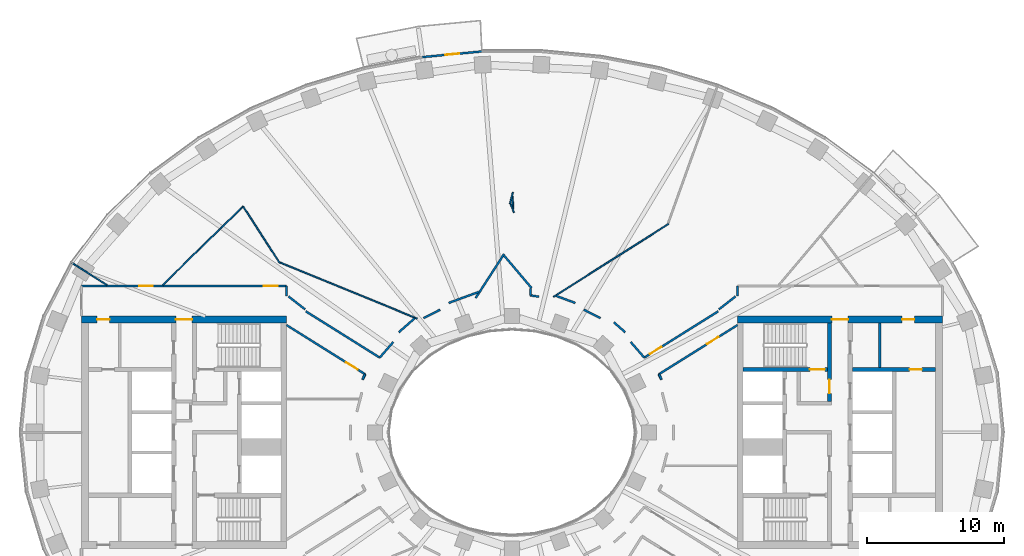
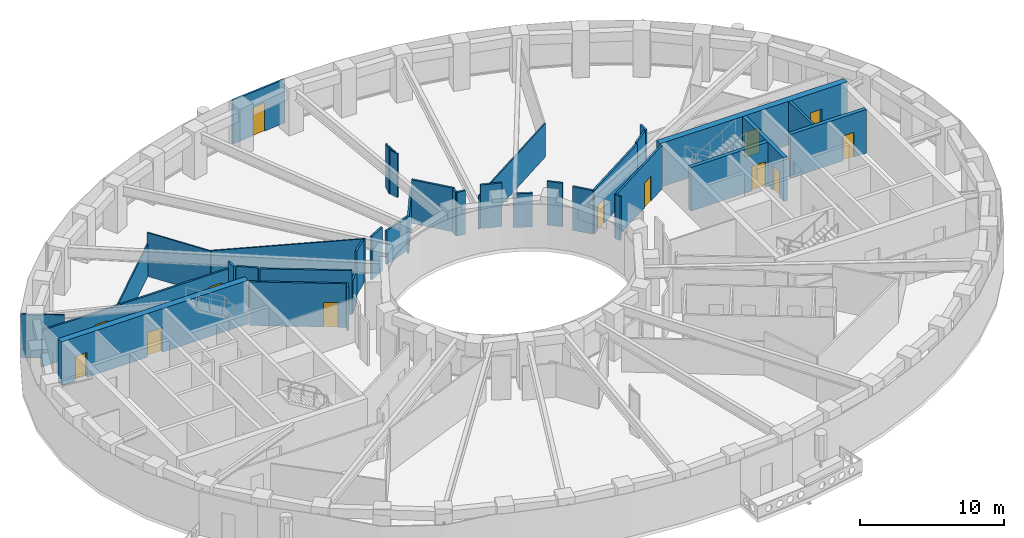
# One storey, part 6 of 16: 38 walls, 13 doors, 13 openings.
"""IFC4 building model written with IfcOpenShell, lengths in metres."""

from ifc_helpers import new_model, si_unit, direction, frame, frame_2d, origin, place, context, subcontext, project, spatial, rectangle, extrude, material, layer, layer_set, type_object, element, fill, save


model = new_model("IFC4")

# Units and contexts
model_context = context("Model", 3, precision=1e-05, world=origin(), true_north=direction((0.0, 1.0)))
body_context = subcontext(model_context, "Body", "Model", "MODEL_VIEW")
ifc_project = project(units=[si_unit("LENGTHUNIT", "METRE"), si_unit("AREAUNIT", "SQUARE_METRE"), si_unit("VOLUMEUNIT", "CUBIC_METRE"), si_unit("PLANEANGLEUNIT", "RADIAN"), si_unit("MASSUNIT", "GRAM", prefix="KILO")], contexts=[model_context])

# Site, building, storey
site_placement = place(None, origin())
site = spatial("IfcSite", under=ifc_project, at=site_placement, CompositionType="ELEMENT")
building_placement = place(site_placement, origin())
building = spatial("IfcBuilding", under=site, at=building_placement, Name="Noorbagh Ring Tower", CompositionType="ELEMENT")
storey_placement = place(building_placement, frame((0.0, 0.0, 162.0)))
storey = spatial("IfcBuildingStorey", under=building, at=storey_placement, Name="L37", CompositionType="ELEMENT", Elevation=162.0)

# Wall
ifc_material_1 = material(Name="Gypsum board on steel studs", Category="steel")
ifc_layer_1 = layer(ifc_material_1, 0.199951171875)
ifc_layer_set_1 = layer_set([ifc_layer_1], Name="Gypsum board on steel studs")
wall_type_1 = type_object("IfcWallType", Name="CORE-PARTITION-200", PredefinedType="PARTITIONING", material=ifc_layer_set_1)
wall_1_placement = place(storey_placement, frame((26.89990234375, 4.75, 0.0), z_axis=(0.0, 0.0, 1.0), x_axis=(0.0, 1.0, 0.0)))
element("IfcWall", 1, at=wall_1_placement, inside=storey, type_object=wall_type_1, Name="Core partition E", PredefinedType="PARTITIONING", context=body_context, shape_type="SweptSolid", body=[
    extrude(rectangle(XDim=3.25, YDim=0.199951171875, at=frame_2d((1.625, 0.0))), origin(), (0.0, 0.0, 1.0), 3.699951171875),
])

# Wall, opening, door
ifc_material_2 = material(Name="Concrete C60/75", Category="concrete")
ifc_layer_2 = layer(ifc_material_2, 0.300048828125)
ifc_layer_set_2 = layer_set([ifc_layer_2], Name="Concrete C60/75")
wall_type_2 = type_object("IfcWallType", Name="CORE-WALL-300-C60-75-EI240", PredefinedType="SHEAR", material=ifc_layer_set_2)
wall_2_placement = place(storey_placement, frame((24.89990234375, 4.60009765625, 0.0), z_axis=(0.0, 0.0, 1.0), x_axis=(1.0, 0.0, 0.0)))
wall_2 = element("IfcWall", 2, at=wall_2_placement, inside=storey, type_object=wall_type_2, Name="Core wall E", PredefinedType="SHEAR", context=body_context, shape_type="SweptSolid", body=[
    extrude(rectangle(XDim=6.10009765625, YDim=0.300048828125, at=frame_2d((3.050048828125, 0.0))), origin(), (0.0, 0.0, 1.0), 3.699951171875),
])
opening_1_placement = place(wall_2_placement, frame((4.199951171875, 0.0, 0.0)))
opening_1 = element("IfcOpeningElement", 3, at=opening_1_placement, cuts=wall_2, Name="Opening L37-CE17", PredefinedType="OPENING", context=body_context, shape_type="SweptSolid", body=[
    extrude(rectangle(XDim=0.89990234375, YDim=2.10009765625, at=frame_2d((0.449951171875, 1.050048828125))), frame((0.0, 0.16015625, 0.0), z_axis=(0.0, -1.0, 0.0), x_axis=(1.0, 0.0, 0.0)), (0.0, 0.0, 1.0), 0.320068359375),
])
ifc_material_3 = material(Name="Steel door leaf", Category="steel")
door_type_1 = type_object("IfcDoorType", Name="CORE-DOOR-DROOM", OperationType="SINGLE_SWING_LEFT", PredefinedType="DOOR", material=ifc_material_3)
door_1_placement = place(opening_1_placement, origin())
door_1 = element("IfcDoor", 4, at=door_1_placement, inside=storey, type_object=door_type_1, Name="Core room door L37-CE17", OperationType="SINGLE_SWING_RIGHT", OverallHeight=2.10009765625, OverallWidth=0.89990234375, PredefinedType="DOOR", context=body_context, shape_type="SweptSolid", body=[
    extrude(rectangle(XDim=0.89990234375, YDim=2.10009765625, at=frame_2d((0.449951171875, 1.050048828125))), frame((0.0, 0.02490234375, 0.0), z_axis=(0.0, -1.0, 0.0), x_axis=(1.0, 0.0, 0.0)), (0.0, 0.0, 1.0), 0.050048828125),
])
fill(opening_1, door_1)

wall_3_placement = place(storey_placement, frame((23.22998046875, 2.25, 0.0), z_axis=(0.0, 0.0, 1.0), x_axis=(0.0, 1.0, 0.0)))
wall_3 = element("IfcWall", 5, at=wall_3_placement, inside=storey, type_object=wall_type_2, Name="Core wall E", PredefinedType="SHEAR", context=body_context, shape_type="SweptSolid", body=[
    extrude(rectangle(XDim=5.75, YDim=0.300048828125, at=frame_2d((2.875, 0.0))), origin(), (0.0, 0.0, 1.0), 3.699951171875),
])
opening_2_placement = place(wall_3_placement, frame((0.60009765625, 0.0, 0.0)))
opening_2 = element("IfcOpeningElement", 6, at=opening_2_placement, cuts=wall_3, Name="Opening L37-CE10", PredefinedType="OPENING", context=body_context, shape_type="SweptSolid", body=[
    extrude(rectangle(XDim=1.0, YDim=2.10009765625, at=frame_2d((0.5, 1.050048828125))), frame((0.0, 0.16015625, 0.0), z_axis=(0.0, -1.0, 0.0), x_axis=(1.0, 0.0, 0.0)), (0.0, 0.0, 1.0), 0.320068359375),
])
ifc_material_4 = material(Name="Steel door leaf", Category="steel")
door_type_2 = type_object("IfcDoorType", Name="CORE-DOOR-DVEST", OperationType="SINGLE_SWING_LEFT", PredefinedType="DOOR", material=ifc_material_4)
door_2_placement = place(opening_2_placement, origin())
door_2 = element("IfcDoor", 7, at=door_2_placement, inside=storey, type_object=door_type_2, Name="Stair vestibule door L37-CE10", OperationType="SINGLE_SWING_RIGHT", OverallHeight=2.10009765625, OverallWidth=1.0, PredefinedType="DOOR", context=body_context, shape_type="SweptSolid", body=[
    extrude(rectangle(XDim=1.0, YDim=2.10009765625, at=frame_2d((0.5, 1.050048828125))), frame((0.0, 0.02490234375, 0.0), z_axis=(0.0, -1.0, 0.0), x_axis=(1.0, 0.0, 0.0)), (0.0, 0.0, 1.0), 0.050048828125),
])
fill(opening_2, door_2)

wall_4_placement = place(storey_placement, frame((16.89990234375, 4.60009765625, 0.0), z_axis=(0.0, 0.0, 1.0), x_axis=(1.0, 0.0, 0.0)))
wall_4 = element("IfcWall", 8, at=wall_4_placement, inside=storey, type_object=wall_type_2, Name="Core wall E", PredefinedType="SHEAR", context=body_context, shape_type="SweptSolid", body=[
    extrude(rectangle(XDim=6.18017578125, YDim=0.300048828125, at=frame_2d((3.090087890625, 0.0))), origin(), (0.0, 0.0, 1.0), 3.699951171875),
])
opening_3_placement = place(wall_4_placement, frame((4.89990234375, 0.0, 0.0)))
opening_3 = element("IfcOpeningElement", 9, at=opening_3_placement, cuts=wall_4, Name="Opening L37-CE07", PredefinedType="OPENING", context=body_context, shape_type="SweptSolid", body=[
    extrude(rectangle(XDim=1.10009765625, YDim=2.10009765625, at=frame_2d((0.550048828125, 1.050048828125))), frame((0.0, 0.16015625, 0.0), z_axis=(0.0, -1.0, 0.0), x_axis=(1.0, 0.0, 0.0)), (0.0, 0.0, 1.0), 0.320068359375),
])
ifc_material_5 = material(Name="Steel door leaf", Category="steel")
door_type_3 = type_object("IfcDoorType", Name="CORE-DOOR-DSTAIR", OperationType="SINGLE_SWING_LEFT", PredefinedType="DOOR", material=ifc_material_5)
door_3_placement = place(opening_3_placement, origin())
door_3 = element("IfcDoor", 10, at=door_3_placement, inside=storey, type_object=door_type_3, Name="Stair door ST3 L37-CE07", OperationType="SINGLE_SWING_LEFT", OverallHeight=2.10009765625, OverallWidth=1.10009765625, PredefinedType="DOOR", context=body_context, shape_type="SweptSolid", body=[
    extrude(rectangle(XDim=1.10009765625, YDim=2.10009765625, at=frame_2d((0.550048828125, 1.050048828125))), frame((0.0, 0.02490234375, 0.0), z_axis=(0.0, -1.0, 0.0), x_axis=(1.0, 0.0, 0.0)), (0.0, 0.0, 1.0), 0.050048828125),
])
fill(opening_3, door_3)

# Wall, openings, doors
ifc_material_6 = material(Name="Concrete C60/75", Category="concrete")
ifc_layer_3 = layer(ifc_material_6, 0.5)
ifc_layer_set_3 = layer_set([ifc_layer_3], Name="Concrete C60/75")
wall_type_3 = type_object("IfcWallType", Name="CORE-WALL-500-C60-75-EI240", PredefinedType="SHEAR", material=ifc_layer_set_3)
wall_5_placement = place(storey_placement, frame((-16.5, 8.25, 0.0), z_axis=(0.0, 0.0, 1.0), x_axis=(-1.0, 0.0, 0.0)))
wall_5 = element("IfcWall", 11, at=wall_5_placement, inside=storey, type_object=wall_type_3, Name="Core wall W", PredefinedType="SHEAR", context=body_context, shape_type="SweptSolid", body=[
    extrude(rectangle(XDim=15.0, YDim=0.5, at=frame_2d((7.5, 0.0))), origin(), (0.0, 0.0, 1.0), 3.699951171875),
])
opening_4_placement = place(wall_5_placement, frame((6.89990234375, 0.0, 0.0)))
opening_4 = element("IfcOpeningElement", 12, at=opening_4_placement, cuts=wall_5, Name="Opening L37-CW10", PredefinedType="OPENING", context=body_context, shape_type="SweptSolid", body=[
    extrude(rectangle(XDim=1.199951171875, YDim=2.10009765625, at=frame_2d((0.60009765625, 1.050048828125))), frame((0.0, 0.260009765625, 0.0), z_axis=(0.0, -1.0, 0.0), x_axis=(1.0, 0.0, 0.0)), (0.0, 0.0, 1.0), 0.52001953125),
])
opening_5_placement = place(wall_5_placement, frame((12.949951171875, 0.0, 0.0)))
opening_5 = element("IfcOpeningElement", 13, at=opening_5_placement, cuts=wall_5, Name="Opening L37-CW13", PredefinedType="OPENING", context=body_context, shape_type="SweptSolid", body=[
    extrude(rectangle(XDim=0.89990234375, YDim=2.10009765625, at=frame_2d((0.449951171875, 1.050048828125))), frame((0.0, 0.260009765625, 0.0), z_axis=(0.0, -1.0, 0.0), x_axis=(1.0, 0.0, 0.0)), (0.0, 0.0, 1.0), 0.52001953125),
])
door_4_placement = place(opening_5_placement, origin())
door_4 = element("IfcDoor", 14, at=door_4_placement, inside=storey, type_object=door_type_1, Name="Core room door L37-CW13", OperationType="SINGLE_SWING_RIGHT", OverallHeight=2.10009765625, OverallWidth=0.89990234375, PredefinedType="DOOR", context=body_context, shape_type="SweptSolid", body=[
    extrude(rectangle(XDim=0.89990234375, YDim=2.10009765625, at=frame_2d((0.449951171875, 1.050048828125))), frame((0.0, 0.02490234375, 0.0), z_axis=(0.0, -1.0, 0.0), x_axis=(1.0, 0.0, 0.0)), (0.0, 0.0, 1.0), 0.050048828125),
])
fill(opening_5, door_4)
ifc_material_7 = material(Name="Steel door leaf", Category="steel")
door_type_4 = type_object("IfcDoorType", Name="CORE-DOOR-PORT", OperationType="DOUBLE_DOOR_DOUBLE_SWING", PredefinedType="DOOR", material=ifc_material_7)
door_5_placement = place(opening_4_placement, origin())
door_5 = element("IfcDoor", 15, at=door_5_placement, inside=storey, type_object=door_type_4, Name="Core entrance door L37-CW10", OperationType="DOUBLE_DOOR_DOUBLE_SWING", OverallHeight=2.10009765625, OverallWidth=1.199951171875, PredefinedType="DOOR", context=body_context, shape_type="SweptSolid", body=[
    extrude(rectangle(XDim=1.199951171875, YDim=2.10009765625, at=frame_2d((0.60009765625, 1.050048828125))), frame((0.0, 0.02490234375, 0.0), z_axis=(0.0, -1.0, 0.0), x_axis=(1.0, 0.0, 0.0)), (0.0, 0.0, 1.0), 0.050048828125),
])
fill(opening_4, door_5)

wall_6_placement = place(storey_placement, frame((16.5, 8.25, 0.0), z_axis=(0.0, 0.0, 1.0), x_axis=(1.0, 0.0, 0.0)))
wall_6 = element("IfcWall", 16, at=wall_6_placement, inside=storey, type_object=wall_type_3, Name="Core wall E", PredefinedType="SHEAR", context=body_context, shape_type="SweptSolid", body=[
    extrude(rectangle(XDim=15.0, YDim=0.5, at=frame_2d((7.5, 0.0))), origin(), (0.0, 0.0, 1.0), 3.699951171875),
])
opening_6_placement = place(wall_6_placement, frame((6.89990234375, 0.0, 0.0)))
opening_6 = element("IfcOpeningElement", 17, at=opening_6_placement, cuts=wall_6, Name="Opening L37-CE11", PredefinedType="OPENING", context=body_context, shape_type="SweptSolid", body=[
    extrude(rectangle(XDim=1.199951171875, YDim=2.10009765625, at=frame_2d((0.60009765625, 1.050048828125))), frame((0.0, 0.260009765625, 0.0), z_axis=(0.0, -1.0, 0.0), x_axis=(1.0, 0.0, 0.0)), (0.0, 0.0, 1.0), 0.52001953125),
])
opening_7_placement = place(wall_6_placement, frame((12.050048828125, 0.0, 0.0)))
opening_7 = element("IfcOpeningElement", 18, at=opening_7_placement, cuts=wall_6, Name="Opening L37-CE14", PredefinedType="OPENING", context=body_context, shape_type="SweptSolid", body=[
    extrude(rectangle(XDim=0.89990234375, YDim=2.10009765625, at=frame_2d((0.449951171875, 1.050048828125))), frame((0.0, 0.260009765625, 0.0), z_axis=(0.0, -1.0, 0.0), x_axis=(1.0, 0.0, 0.0)), (0.0, 0.0, 1.0), 0.52001953125),
])
door_6_placement = place(opening_7_placement, origin())
door_6 = element("IfcDoor", 19, at=door_6_placement, inside=storey, type_object=door_type_1, Name="Core room door L37-CE14", OperationType="SINGLE_SWING_LEFT", OverallHeight=2.10009765625, OverallWidth=0.89990234375, PredefinedType="DOOR", context=body_context, shape_type="SweptSolid", body=[
    extrude(rectangle(XDim=0.89990234375, YDim=2.10009765625, at=frame_2d((0.449951171875, 1.050048828125))), frame((0.0, 0.02490234375, 0.0), z_axis=(0.0, -1.0, 0.0), x_axis=(1.0, 0.0, 0.0)), (0.0, 0.0, 1.0), 0.050048828125),
])
fill(opening_7, door_6)
door_7_placement = place(opening_6_placement, origin())
door_7 = element("IfcDoor", 20, at=door_7_placement, inside=storey, type_object=door_type_4, Name="Core entrance door L37-CE11", OperationType="DOUBLE_DOOR_DOUBLE_SWING", OverallHeight=2.10009765625, OverallWidth=1.199951171875, PredefinedType="DOOR", context=body_context, shape_type="SweptSolid", body=[
    extrude(rectangle(XDim=1.199951171875, YDim=2.10009765625, at=frame_2d((0.60009765625, 1.050048828125))), frame((0.0, 0.02490234375, 0.0), z_axis=(0.0, -1.0, 0.0), x_axis=(1.0, 0.0, 0.0)), (0.0, 0.0, 1.0), 0.050048828125),
])
fill(opening_6, door_7)

ifc_material_8 = material(Name="Gypsum board on steel studs", Category="steel")
ifc_layer_4 = layer(ifc_material_8, 0.14990234375)
ifc_layer_set_4 = layer_set([ifc_layer_4], Name="Gypsum board on steel studs")
wall_type_4 = type_object("IfcWallType", Name="CORRIDOR PARTITION 150 EI 30", PredefinedType="PARTITIONING", material=ifc_layer_set_4)
wall_7_placement = place(storey_placement, frame((-31.5, 10.699951171875, 0.0), z_axis=(0.0, 0.0, 1.0), x_axis=(1.0, 0.0, 0.0)))
wall_7 = element("IfcWall", 21, at=wall_7_placement, inside=storey, type_object=wall_type_4, Name="L37/wall/P07", PredefinedType="PARTITIONING", context=body_context, shape_type="SweptSolid", body=[
    extrude(rectangle(XDim=15.0, YDim=0.14990234375, at=frame_2d((7.5, 0.0))), origin(), (0.0, 0.0, 1.0), 3.10009765625),
])
opening_8_placement = place(wall_7_placement, frame((4.2099609375, 0.0, 0.0)))
opening_8 = element("IfcOpeningElement", 22, at=opening_8_placement, cuts=wall_7, Name="Opening D1", PredefinedType="OPENING", context=body_context, shape_type="SweptSolid", body=[
    extrude(rectangle(XDim=1.0, YDim=2.10009765625, at=frame_2d((0.5, 1.050048828125))), frame((0.0, 0.0849609375, 0.0), z_axis=(0.0, -1.0, 0.0), x_axis=(1.0, 0.0, 0.0)), (0.0, 0.0, 1.0), 0.169921875),
])
opening_9_placement = place(wall_7_placement, frame((13.35009765625, 0.0, 0.0)))
opening_9 = element("IfcOpeningElement", 23, at=opening_9_placement, cuts=wall_7, Name="Opening D1", PredefinedType="OPENING", context=body_context, shape_type="SweptSolid", body=[
    extrude(rectangle(XDim=1.0, YDim=2.10009765625, at=frame_2d((0.5, 1.050048828125))), frame((0.0, 0.0849609375, 0.0), z_axis=(0.0, -1.0, 0.0), x_axis=(1.0, 0.0, 0.0)), (0.0, 0.0, 1.0), 0.169921875),
])
ifc_material_9 = material(Name="Timber, painted", Category="wood")
door_type_5 = type_object("IfcDoorType", Name="DOOR 1000 X 2100 FD30", OperationType="SINGLE_SWING_LEFT", PredefinedType="DOOR", material=ifc_material_9)
door_8_placement = place(opening_8_placement, origin())
door_8 = element("IfcDoor", 24, at=door_8_placement, inside=storey, type_object=door_type_5, Name="L37-D09", OperationType="SINGLE_SWING_LEFT", OverallHeight=2.10009765625, OverallWidth=1.0, PredefinedType="DOOR", context=body_context, shape_type="SweptSolid", body=[
    extrude(rectangle(XDim=1.0, YDim=2.10009765625, at=frame_2d((0.5, 1.050048828125))), frame((0.0, 0.02490234375, 0.0), z_axis=(0.0, -1.0, 0.0), x_axis=(1.0, 0.0, 0.0)), (0.0, 0.0, 1.0), 0.050048828125),
])
fill(opening_8, door_8)
door_9_placement = place(opening_9_placement, origin())
door_9 = element("IfcDoor", 25, at=door_9_placement, inside=storey, type_object=door_type_5, Name="L37-D11", OperationType="SINGLE_SWING_LEFT", OverallHeight=2.10009765625, OverallWidth=1.0, PredefinedType="DOOR", context=body_context, shape_type="SweptSolid", body=[
    extrude(rectangle(XDim=1.0, YDim=2.10009765625, at=frame_2d((0.5, 1.050048828125))), frame((0.0, 0.02490234375, 0.0), z_axis=(0.0, -1.0, 0.0), x_axis=(1.0, 0.0, 0.0)), (0.0, 0.0, 1.0), 0.050048828125),
])
fill(opening_9, door_9)

# Wall
wall_8_placement = place(storey_placement, frame((-16.5, 9.964111328125, 0.0), z_axis=(0.0, 0.0, 1.0), x_axis=(0.0, 1.0, 0.0)))
element("IfcWall", 26, at=wall_8_placement, inside=storey, type_object=wall_type_4, Name="L37/wall/P16", PredefinedType="PARTITIONING", context=body_context, shape_type="SweptSolid", body=[
    extrude(rectangle(XDim=0.73583984375, YDim=0.14990234375, at=frame_2d((0.367919921875, 0.0))), origin(), (0.0, 0.0, 1.0), 3.699951171875),
])

# Wall, opening, door
wall_9_placement = place(storey_placement, frame((-16.5, 7.85107421875, 0.0), z_axis=(0.0, 0.0, 1.0), x_axis=(0.847690706888, -0.530490777917, 0.0)))
wall_9 = element("IfcWall", 27, at=wall_9_placement, inside=storey, type_object=wall_type_4, Name="L37/wall/P18", PredefinedType="PARTITIONING", context=body_context, shape_type="SweptSolid", body=[
    extrude(rectangle(XDim=6.78076171875, YDim=0.14990234375, at=frame_2d((3.390380859375, 0.0))), origin(), (0.0, 0.0, 1.0), 3.699951171875),
])
opening_10_placement = place(wall_9_placement, frame((5.1513671875, 0.0, 0.0)))
opening_10 = element("IfcOpeningElement", 28, at=opening_10_placement, cuts=wall_9, Name="Opening D1", PredefinedType="OPENING", context=body_context, shape_type="SweptSolid", body=[
    extrude(rectangle(XDim=1.0, YDim=2.10009765625, at=frame_2d((0.5, 1.050048828125))), frame((0.0, 0.0849609375, 0.0), z_axis=(0.0, -1.0, 0.0), x_axis=(1.0, 0.0, 0.0)), (0.0, 0.0, 1.0), 0.169921875),
])
door_10_placement = place(opening_10_placement, origin())
door_10 = element("IfcDoor", 29, at=door_10_placement, inside=storey, type_object=door_type_5, Name="L37-D18", OperationType="SINGLE_SWING_RIGHT", OverallHeight=2.10009765625, OverallWidth=1.0, PredefinedType="DOOR", context=body_context, shape_type="SweptSolid", body=[
    extrude(rectangle(XDim=1.0, YDim=2.10009765625, at=frame_2d((0.5, 1.050048828125))), frame((0.0, 0.02490234375, 0.0), z_axis=(0.0, -1.0, 0.0), x_axis=(1.0, 0.0, 0.0)), (0.0, 0.0, 1.0), 0.050048828125),
])
fill(opening_10, door_10)

# Walls
wall_10_placement = place(storey_placement, frame((-15.089111328125, 8.85595703125, 0.0), z_axis=(0.0, 0.0, 1.0), x_axis=(0.847602682855, -0.530631408811, 0.0)))
element("IfcWall", 30, at=wall_10_placement, inside=storey, type_object=wall_type_4, Name="L37/wall/P20", PredefinedType="PARTITIONING", context=body_context, shape_type="SweptSolid", body=[
    extrude(rectangle(XDim=6.3828125, YDim=0.14990234375, at=frame_2d((3.19140625, 0.0))), origin(), (0.0, 0.0, 1.0), 3.699951171875),
])
wall_11_placement = place(storey_placement, frame((-10.93798828125, 3.863037109375, 0.0), z_axis=(0.0, 0.0, 1.0), x_axis=(0.429758433873, 0.90294390109, 0.0)))
element("IfcWall", 31, at=wall_11_placement, inside=storey, type_object=wall_type_4, Name="L37/wall/P25", PredefinedType="PARTITIONING", context=body_context, shape_type="SweptSolid", body=[
    extrude(rectangle(XDim=0.432861328125, YDim=0.14990234375, at=frame_2d((0.21630859375, 0.0))), origin(), (0.0, 0.0, 1.0), 3.699951171875),
])
wall_12_placement = place(storey_placement, frame((-9.678955078125, 5.468994140625, 0.0), z_axis=(0.0, 0.0, 1.0), x_axis=(0.656454677423, 0.75436546613, 0.0)))
element("IfcWall", 32, at=wall_12_placement, inside=storey, type_object=wall_type_4, Name="L37/wall/P27", PredefinedType="PARTITIONING", context=body_context, shape_type="SweptSolid", body=[
    extrude(rectangle(XDim=1.510986328125, YDim=0.14990234375, at=frame_2d((0.75537109375, 0.0))), origin(), (0.0, 0.0, 1.0), 2.75),
])
wall_13_placement = place(storey_placement, frame((-8.283935546875, 7.322021484375, 0.0), z_axis=(0.0, 0.0, 1.0), x_axis=(0.750666784408, 0.660680996235, 0.0)))
element("IfcWall", 33, at=wall_13_placement, inside=storey, type_object=wall_type_4, Name="L37/wall/P29", PredefinedType="PARTITIONING", context=body_context, shape_type="SweptSolid", body=[
    extrude(rectangle(XDim=1.5546875, YDim=0.14990234375, at=frame_2d((0.77734375, 0.0))), origin(), (0.0, 0.0, 1.0), 3.699951171875),
])
wall_14_placement = place(storey_placement, frame((-6.466064453125, 8.35595703125, 0.0), z_axis=(0.0, 0.0, 1.0), x_axis=(0.889472002788, 0.456989667559, 0.0)))
element("IfcWall", 34, at=wall_14_placement, inside=storey, type_object=wall_type_4, Name="L37/wall/P31", PredefinedType="PARTITIONING", context=body_context, shape_type="SweptSolid", body=[
    extrude(rectangle(XDim=1.354736328125, YDim=0.14990234375, at=frame_2d((0.67724609375, 0.0))), origin(), (0.0, 0.0, 1.0), 3.699951171875),
])
wall_15_placement = place(storey_placement, frame((-4.635986328125, 9.468017578125, 0.0), z_axis=(0.0, 0.0, 1.0), x_axis=(0.939059239116, 0.343755356949, 0.0)))
element("IfcWall", 35, at=wall_15_placement, inside=storey, type_object=wall_type_4, Name="L37/wall/P33", PredefinedType="PARTITIONING", context=body_context, shape_type="SweptSolid", body=[
    extrude(rectangle(XDim=2.3564453125, YDim=0.14990234375, at=frame_2d((1.17822265625, 0.0))), origin(), (0.0, 0.0, 1.0), 2.85009765625),
])
wall_16_placement = place(storey_placement, frame((-2.659912109375, 9.826904296875, 0.0), z_axis=(0.0, 0.0, 1.0), x_axis=(0.54249361556, 0.840059924694, 0.0)))
element("IfcWall", 36, at=wall_16_placement, inside=storey, type_object=wall_type_4, Name="L37/wall/P35", PredefinedType="PARTITIONING", context=body_context, shape_type="SweptSolid", body=[
    extrude(rectangle(XDim=3.835693359375, YDim=0.14990234375, at=frame_2d((1.91796875, 0.0))), origin(), (0.0, 0.0, 1.0), 2.85009765625),
])
wall_17_placement = place(storey_placement, frame((-0.571044921875, 12.923095703125, 0.0), z_axis=(0.0, 0.0, 1.0), x_axis=(0.646508532989, -0.762906754966, 0.0)))
element("IfcWall", 37, at=wall_17_placement, inside=storey, type_object=wall_type_4, Name="L37/wall/P37", PredefinedType="PARTITIONING", context=body_context, shape_type="SweptSolid", body=[
    extrude(rectangle(XDim=3.110595703125, YDim=0.14990234375, at=frame_2d((1.55517578125, 0.0))), origin(), (0.0, 0.0, 1.0), 3.699951171875),
])
wall_18_placement = place(storey_placement, frame((1.340087890625, 10.02197265625, 0.0), z_axis=(0.0, 0.0, 1.0), x_axis=(0.047890193459, 0.998852606429, 0.0)))
element("IfcWall", 38, at=wall_18_placement, inside=storey, type_object=wall_type_4, Name="L37/wall/P46", PredefinedType="PARTITIONING", context=body_context, shape_type="SweptSolid", body=[
    extrude(rectangle(XDim=0.49951171875, YDim=0.14990234375, at=frame_2d((0.249755859375, 0.0))), origin(), (0.0, 0.0, 1.0), 3.699951171875),
])
wall_19_placement = place(storey_placement, frame((1.340087890625, 10.02197265625, 0.0), z_axis=(0.0, 0.0, 1.0), x_axis=(0.988526694698, -0.151046264003, 0.0)))
element("IfcWall", 39, at=wall_19_placement, inside=storey, type_object=wall_type_4, Name="L37/wall/P47", PredefinedType="PARTITIONING", context=body_context, shape_type="SweptSolid", body=[
    extrude(rectangle(XDim=0.63525390625, YDim=0.14990234375, at=frame_2d((0.317626953125, 0.0))), origin(), (0.0, 0.0, 1.0), 3.699951171875),
])
wall_20_placement = place(storey_placement, frame((3.221923828125, 9.986083984375, 0.0), z_axis=(0.0, 0.0, 1.0), x_axis=(0.938967105432, -0.344006940215, 0.0)))
element("IfcWall", 40, at=wall_20_placement, inside=storey, type_object=wall_type_4, Name="L37/wall/P51", PredefinedType="PARTITIONING", context=body_context, shape_type="SweptSolid", body=[
    extrude(rectangle(XDim=1.505859375, YDim=0.14990234375, at=frame_2d((0.7529296875, 0.0))), origin(), (0.0, 0.0, 1.0), 3.699951171875),
])
wall_21_placement = place(storey_placement, frame((5.260986328125, 8.97509765625, 0.0), z_axis=(0.0, 0.0, 1.0), x_axis=(0.889472002788, -0.456989667559, 0.0)))
element("IfcWall", 41, at=wall_21_placement, inside=storey, type_object=wall_type_4, Name="L37/wall/P53", PredefinedType="PARTITIONING", context=body_context, shape_type="SweptSolid", body=[
    extrude(rectangle(XDim=1.354736328125, YDim=0.14990234375, at=frame_2d((0.67724609375, 0.0))), origin(), (0.0, 0.0, 1.0), 2.85009765625),
])
wall_22_placement = place(storey_placement, frame((7.4580078125, 8.049072265625, 0.0), z_axis=(0.0, 0.0, 1.0), x_axis=(0.75060787095, -0.660747927782, 0.0)))
element("IfcWall", 42, at=wall_22_placement, inside=storey, type_object=wall_type_4, Name="L37/wall/P55", PredefinedType="PARTITIONING", context=body_context, shape_type="SweptSolid", body=[
    extrude(rectangle(XDim=1.100341796875, YDim=0.14990234375, at=frame_2d((0.55029296875, 0.0))), origin(), (0.0, 0.0, 1.0), 3.699951171875),
])
wall_23_placement = place(storey_placement, frame((8.68701171875, 6.60888671875, 0.0), z_axis=(0.0, 0.0, 1.0), x_axis=(0.656454677423, -0.75436546613, 0.0)))
element("IfcWall", 43, at=wall_23_placement, inside=storey, type_object=wall_type_4, Name="L37/wall/P59", PredefinedType="PARTITIONING", context=body_context, shape_type="SweptSolid", body=[
    extrude(rectangle(XDim=1.510986328125, YDim=0.14990234375, at=frame_2d((0.75537109375, 0.0))), origin(), (0.0, 0.0, 1.0), 3.699951171875),
])

# Wall, opening, door
wall_24_placement = place(storey_placement, frame((9.678955078125, 5.468994140625, 0.0), z_axis=(0.0, 0.0, 1.0), x_axis=(0.847602682855, 0.530631408811, 0.0)))
wall_24 = element("IfcWall", 44, at=wall_24_placement, inside=storey, type_object=wall_type_4, Name="L37/wall/P62", PredefinedType="PARTITIONING", context=body_context, shape_type="SweptSolid", body=[
    extrude(rectangle(XDim=6.3828125, YDim=0.14990234375, at=frame_2d((3.19140625, 0.0))), origin(), (0.0, 0.0, 1.0), 3.699951171875),
])
opening_11_placement = place(wall_24_placement, frame((0.48291015625, 0.0, 0.0)))
opening_11 = element("IfcOpeningElement", 45, at=opening_11_placement, cuts=wall_24, Name="Opening D1", PredefinedType="OPENING", context=body_context, shape_type="SweptSolid", body=[
    extrude(rectangle(XDim=1.0, YDim=2.10009765625, at=frame_2d((0.5, 1.050048828125))), frame((0.0, 0.0849609375, 0.0), z_axis=(0.0, -1.0, 0.0), x_axis=(1.0, 0.0, 0.0)), (0.0, 0.0, 1.0), 0.169921875),
])
door_11_placement = place(opening_11_placement, origin())
door_11 = element("IfcDoor", 46, at=door_11_placement, inside=storey, type_object=door_type_5, Name="L37-D12", OperationType="SINGLE_SWING_RIGHT", OverallHeight=2.10009765625, OverallWidth=1.0, PredefinedType="DOOR", context=body_context, shape_type="SweptSolid", body=[
    extrude(rectangle(XDim=1.0, YDim=2.10009765625, at=frame_2d((0.5, 1.050048828125))), frame((0.0, 0.02490234375, 0.0), z_axis=(0.0, -1.0, 0.0), x_axis=(1.0, 0.0, 0.0)), (0.0, 0.0, 1.0), 0.050048828125),
])
fill(opening_11, door_11)

# Wall
wall_25_placement = place(storey_placement, frame((10.751953125, 4.25390625, 0.0), z_axis=(0.0, 0.0, 1.0), x_axis=(0.429758433873, -0.90294390109, 0.0)))
element("IfcWall", 47, at=wall_25_placement, inside=storey, type_object=wall_type_4, Name="L37/wall/P66", PredefinedType="PARTITIONING", context=body_context, shape_type="SweptSolid", body=[
    extrude(rectangle(XDim=0.432861328125, YDim=0.14990234375, at=frame_2d((0.21630859375, 0.0))), origin(), (0.0, 0.0, 1.0), 3.699951171875),
])

# Wall, opening, door
wall_26_placement = place(storey_placement, frame((10.751953125, 4.25390625, 0.0), z_axis=(0.0, 0.0, 1.0), x_axis=(0.847690706888, 0.530490777917, 0.0)))
wall_26 = element("IfcWall", 48, at=wall_26_placement, inside=storey, type_object=wall_type_4, Name="L37/wall/P67", PredefinedType="PARTITIONING", context=body_context, shape_type="SweptSolid", body=[
    extrude(rectangle(XDim=6.78076171875, YDim=0.14990234375, at=frame_2d((3.390380859375, 0.0))), origin(), (0.0, 0.0, 1.0), 3.699951171875),
])
opening_12_placement = place(wall_26_placement, frame((4.14990234375, 0.0, 0.0)))
opening_12 = element("IfcOpeningElement", 49, at=opening_12_placement, cuts=wall_26, Name="Opening D1", PredefinedType="OPENING", context=body_context, shape_type="SweptSolid", body=[
    extrude(rectangle(XDim=1.0, YDim=2.10009765625, at=frame_2d((0.5, 1.050048828125))), frame((0.0, 0.0849609375, 0.0), z_axis=(0.0, -1.0, 0.0), x_axis=(1.0, 0.0, 0.0)), (0.0, 0.0, 1.0), 0.169921875),
])
door_12_placement = place(opening_12_placement, origin())
door_12 = element("IfcDoor", 50, at=door_12_placement, inside=storey, type_object=door_type_5, Name="L37-D20", OperationType="SINGLE_SWING_RIGHT", OverallHeight=2.10009765625, OverallWidth=1.0, PredefinedType="DOOR", context=body_context, shape_type="SweptSolid", body=[
    extrude(rectangle(XDim=1.0, YDim=2.10009765625, at=frame_2d((0.5, 1.050048828125))), frame((0.0, 0.02490234375, 0.0), z_axis=(0.0, -1.0, 0.0), x_axis=(1.0, 0.0, 0.0)), (0.0, 0.0, 1.0), 0.050048828125),
])
fill(opening_12, door_12)

# Walls
wall_27_placement = place(storey_placement, frame((16.5, 9.964111328125, 0.0), z_axis=(0.0, 0.0, 1.0), x_axis=(0.0, 1.0, 0.0)))
element("IfcWall", 51, at=wall_27_placement, inside=storey, type_object=wall_type_4, Name="L37/wall/P81", PredefinedType="PARTITIONING", context=body_context, shape_type="SweptSolid", body=[
    extrude(rectangle(XDim=0.73583984375, YDim=0.14990234375, at=frame_2d((0.367919921875, 0.0))), origin(), (0.0, 0.0, 1.0), 3.699951171875),
])
for number, where, z_axis, x_axis, name in (
    (52, (-16.35205078125, 9.94189453125, 0.0), (0.0, 0.0, 1.0), (0.788950226826, -0.614457109643, 0.0), "L37/wall/P92"),
    (53, (15.138916015625, 8.9970703125, 0.0), (0.0, 0.0, 1.0), (0.788950226826, 0.614457109643, 0.0), "L37/wall/P94"),
):
    element("IfcWall", number, at=place(storey_placement, frame(where, z_axis=z_axis, x_axis=x_axis)), inside=storey, type_object=wall_type_4, Name=name, PredefinedType="PARTITIONING", context=body_context, shape_type="SweptSolid", body=[
        extrude(rectangle(XDim=1.53759765625, YDim=0.14990234375, at=frame_2d((0.768798828125, 0.0))), origin(), (0.0, 0.0, 1.0), 3.699951171875),
    ])

# Wall, opening, door
ifc_material_10 = material(Name="Insulated aluminium clad panel", Category="aluminium")
ifc_layer_5 = layer(ifc_material_10, 0.14990234375)
ifc_layer_set_5 = layer_set([ifc_layer_5], Name="Insulated aluminium clad panel")
wall_type_5 = type_object("IfcWallType", Name="ENV-WALL-DOOR", PredefinedType="STANDARD", material=ifc_layer_set_5)
wall_28_placement = place(storey_placement, frame((-2.166259765625, 27.875244140625, 0.0), z_axis=(0.0, 0.0, 1.0), x_axis=(-0.995473879823, -0.095035543824, 0.0)))
wall_28 = element("IfcWall", 54, at=wall_28_placement, inside=storey, type_object=wall_type_5, Name="Balcony door wall chord 13", PredefinedType="STANDARD", context=body_context, shape_type="SweptSolid", body=[
    extrude(rectangle(XDim=4.42626953125, YDim=0.14990234375, at=frame_2d((2.213134765625, 0.0))), origin(), (0.0, 0.0, 1.0), 3.699951171875),
])
opening_13_placement = place(wall_28_placement, frame((1.713134765625, 0.0, 0.0)))
opening_13 = element("IfcOpeningElement", 55, at=opening_13_placement, cuts=wall_28, Name="Opening D-BL", PredefinedType="OPENING", context=body_context, shape_type="SweptSolid", body=[
    extrude(rectangle(XDim=1.0, YDim=2.39990234375, at=frame_2d((0.5, 1.199951171875))), frame((0.0, 0.0849609375, 0.0), z_axis=(0.0, -1.0, 0.0), x_axis=(1.0, 0.0, 0.0)), (0.0, 0.0, 1.0), 0.169921875),
])
ifc_material_11 = material(Name="Aluminium and glass", Category="aluminium")
door_type_6 = type_object("IfcDoorType", Name="ENV-DOOR-BALCONY", OperationType="SINGLE_SWING_LEFT", PredefinedType="DOOR", material=ifc_material_11)
door_13_placement = place(opening_13_placement, origin())
door_13 = element("IfcDoor", 56, at=door_13_placement, inside=storey, type_object=door_type_6, Name="Balcony door chord 13", OperationType="SINGLE_SWING_RIGHT", OverallHeight=2.39990234375, OverallWidth=1.0, PredefinedType="DOOR", context=body_context, shape_type="SweptSolid", body=[
    extrude(rectangle(XDim=1.0, YDim=2.39990234375, at=frame_2d((0.5, 1.199951171875))), frame((0.0, 0.02490234375, 0.0), z_axis=(0.0, -1.0, 0.0), x_axis=(1.0, 0.0, 0.0)), (0.0, 0.0, 1.0), 0.050048828125),
])
fill(opening_13, door_13)

# Walls
ifc_material_12 = material(Name="Gypsum board on steel studs", Category="steel")
ifc_layer_6 = layer(ifc_material_12, 0.10009765625)
ifc_layer_set_6 = layer_set([ifc_layer_6], Name="Gypsum board on steel studs")
wall_type_6 = type_object("IfcWallType", Name="PARTITION 100 GYPSUM", PredefinedType="PARTITIONING", material=ifc_layer_set_6)
wall_29_placement = place(storey_placement, frame((-32.2119140625, 12.407958984375, 0.0), z_axis=(0.0, 0.0, 1.0), x_axis=(0.844810627195, -0.535065420467, 0.0)))
element("IfcWall", 57, at=wall_29_placement, inside=storey, type_object=wall_type_6, Name="L37/wall/P03", PredefinedType="PARTITIONING", context=body_context, shape_type="SweptSolid", body=[
    extrude(rectangle(XDim=3.0478515625, YDim=0.10009765625, at=frame_2d((1.52392578125, 0.0))), origin(), (0.0, 0.0, 1.0), 3.699951171875),
])
wall_30_placement = place(storey_placement, frame((-25.56591796875, 10.778076171875, 0.0), z_axis=(0.0, 0.0, 1.0), x_axis=(0.715430617602, 0.698683784982, 0.0)))
element("IfcWall", 58, at=wall_30_placement, inside=storey, type_object=wall_type_6, Name="L37/wall/P09", PredefinedType="PARTITIONING", context=body_context, shape_type="SweptSolid", body=[
    extrude(rectangle(XDim=8.23681640625, YDim=0.10009765625, at=frame_2d((4.118408203125, 0.0))), origin(), (0.0, 0.0, 1.0), 2.75),
])
wall_31_placement = place(storey_placement, frame((-19.673095703125, 16.532958984375, 0.0), z_axis=(0.0, 0.0, 1.0), x_axis=(0.542297022656, -0.840186847801, 0.0)))
element("IfcWall", 59, at=wall_31_placement, inside=storey, type_object=wall_type_6, Name="L37/wall/P11", PredefinedType="PARTITIONING", context=body_context, shape_type="SweptSolid", body=[
    extrude(rectangle(XDim=4.9345703125, YDim=0.10009765625, at=frame_2d((2.46728515625, 0.0))), origin(), (0.0, 0.0, 1.0), 3.699951171875),
])
wall_32_placement = place(storey_placement, frame((-16.962890625, 12.427001953125, 0.0), z_axis=(0.0, 0.0, 1.0), x_axis=(0.925484473487, -0.378785545308, 0.0)))
element("IfcWall", 60, at=wall_32_placement, inside=storey, type_object=wall_type_6, Name="L37/wall/P13", PredefinedType="PARTITIONING", context=body_context, shape_type="SweptSolid", body=[
    extrude(rectangle(XDim=10.83203125, YDim=0.10009765625, at=frame_2d((5.416015625, 0.0))), origin(), (0.0, 0.0, 1.0), 3.699951171875),
])
wall_33_placement = place(storey_placement, frame((-0.14306640625, 16.715087890625, 0.0), z_axis=(0.0, 0.0, 1.0), x_axis=(0.239035325833, 0.971010871723, 0.0)))
element("IfcWall", 61, at=wall_33_placement, inside=storey, type_object=wall_type_6, Name="L37/wall/P40", PredefinedType="PARTITIONING", context=body_context, shape_type="SweptSolid", body=[
    extrude(rectangle(XDim=0.8701171875, YDim=0.10009765625, at=frame_2d((0.43505859375, 0.0))), origin(), (0.0, 0.0, 1.0), 3.699951171875),
])
wall_34_placement = place(storey_placement, frame((-0.090087890625, 16.718017578125, 0.0), z_axis=(0.0, 0.0, 1.0), x_axis=(0.337140043393, -0.94145450827, 0.0)))
element("IfcWall", 62, at=wall_34_placement, inside=storey, type_object=wall_type_6, Name="L37/wall/P41", PredefinedType="PARTITIONING", context=body_context, shape_type="SweptSolid", body=[
    extrude(rectangle(XDim=0.67333984375, YDim=0.10009765625, at=frame_2d((0.336669921875, 0.0))), origin(), (0.0, 0.0, 1.0), 3.699951171875),
])
wall_35_placement = place(storey_placement, frame((0.0400390625, 17.278076171875, 0.0), z_axis=(0.0, 0.0, 1.0), x_axis=(0.047868385867, -0.99885365176, 0.0)))
element("IfcWall", 63, at=wall_35_placement, inside=storey, type_object=wall_type_6, Name="L37/wall/P43", PredefinedType="PARTITIONING", context=body_context, shape_type="SweptSolid", body=[
    extrude(rectangle(XDim=0.91796875, YDim=0.10009765625, at=frame_2d((0.458984375, 0.0))), origin(), (0.0, 0.0, 1.0), 3.699951171875),
])
wall_36_placement = place(storey_placement, frame((3.035888671875, 9.9150390625, 0.0), z_axis=(0.0, 0.0, 1.0), x_axis=(0.844792135558, 0.535094615652, 0.0)))
element("IfcWall", 64, at=wall_36_placement, inside=storey, type_object=wall_type_6, Name="L37/wall/P49", PredefinedType="PARTITIONING", context=body_context, shape_type="SweptSolid", body=[
    extrude(rectangle(XDim=9.96826171875, YDim=0.10009765625, at=frame_2d((4.984130859375, 0.0))), origin(), (0.0, 0.0, 1.0), 2.85009765625),
])

save(model, "model.ifc")
